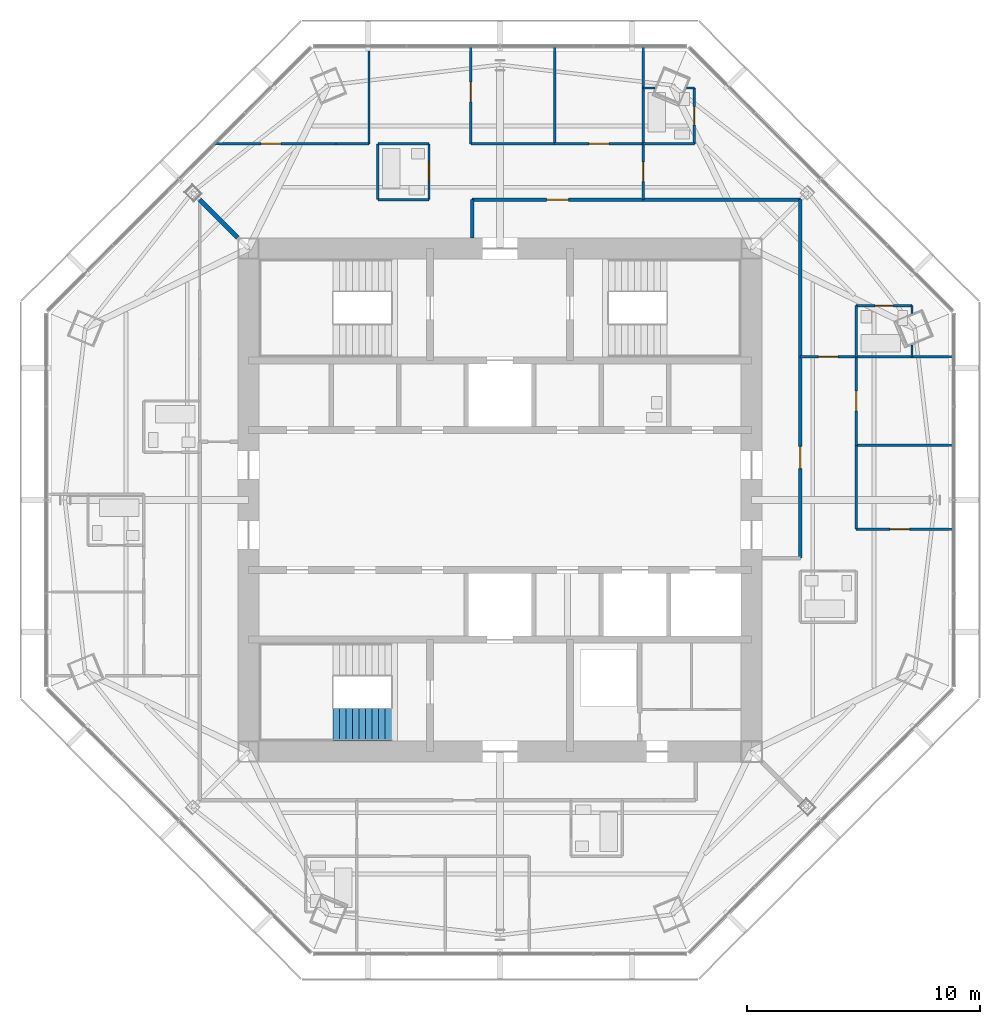
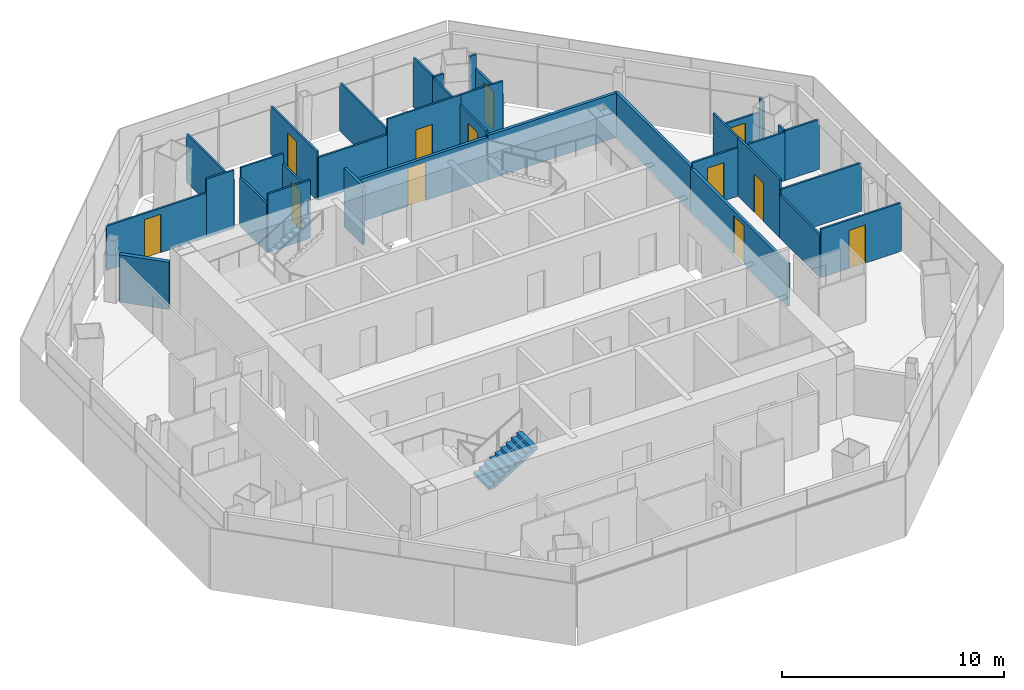
# One storey, part 11 of 15: 35 walls, 12 doors, 1 stair flight, 12 openings, 1 element without a shape of its own.
"""IFC4 building model written with IfcOpenShell, lengths in metres."""

import ifcopenshell
import ifcopenshell.guid

model = None  # the IFC model being written
_history = None  # IfcOwnerHistory: only IFC2X3 demands one
_inside = {}  # id of a spatial element -> (the spatial element, [elements in it])
_under = {}  # id of a project, library or spatial element -> (it, [spatial elements below it])
_declared = {}  # id of a project -> (the project, [libraries it declares])
_typed = {}  # id of a type object -> (the type object, [elements of that type])
_made_of = {}  # id of a material, layer set ... -> (it, [elements and type objects made of it])


def new_model(schema):
    """Start an empty IFC model of exactly this schema.

    Asked for "IFC4X3", IfcOpenShell would pick the latest addendum, in which some entities
    have other attributes; the version numbers below select the first issue.
    IFC2X3 requires an IfcOwnerHistory on every rooted entity: one is made here for all.
    """
    global model, _history
    if schema == "IFC4X3":
        model = ifcopenshell.file(schema_version=(4, 3, 0, 0))
    else:
        model = ifcopenshell.file(schema=schema)
    _inside.clear()
    _under.clear()
    _declared.clear()
    _typed.clear()
    _made_of.clear()
    _history = None
    if model.schema == "IFC2X3":
        org = make("IfcOrganization", Name="unknown")
        user = make(
            "IfcPersonAndOrganization",
            ThePerson=make("IfcPerson", FamilyName="unknown"),
            TheOrganization=org,
        )
        app = make(
            "IfcApplication",
            ApplicationDeveloper=org,
            Version="unknown",
            ApplicationFullName="unknown",
            ApplicationIdentifier="unknown",
        )
        _history = make(
            "IfcOwnerHistory",
            OwningUser=user,
            OwningApplication=app,
            ChangeAction="ADDED",
            CreationDate=0,
        )
    return model


def make(cls, **values):
    """One entity of the class cls with the attributes given. An attribute that is None is left unset."""
    return model.create_entity(
        cls, **{name: value for name, value in values.items() if value is not None}
    )


def rooted(cls, **values):
    """An entity with a GlobalId (a new one), such as an element, a storey or a relation."""
    return make(cls, GlobalId=ifcopenshell.guid.new(), OwnerHistory=_history, **values)


def si_unit(unit_type, name, prefix=None):
    """IfcSIUnit, for example si_unit("LENGTHUNIT", "METRE", prefix="MILLI")."""
    return make("IfcSIUnit", UnitType=unit_type, Prefix=prefix, Name=name)


def assignment(units):
    """IfcUnitAssignment: the units of a project."""
    return None if units is None else make("IfcUnitAssignment", Units=units)


def point(xyz):
    """IfcCartesianPoint."""
    return None if xyz is None else make("IfcCartesianPoint", Coordinates=xyz)


def direction(xyz):
    """IfcDirection."""
    return None if xyz is None else make("IfcDirection", DirectionRatios=xyz)


def frame(location, z_axis=None, x_axis=None):
    """IfcAxis2Placement3D, a coordinate frame: its origin and axes. An axis left out is left unset."""
    return make(
        "IfcAxis2Placement3D",
        Location=point(location),
        Axis=direction(z_axis),
        RefDirection=direction(x_axis),
    )


def frame_2d(location, x_axis=None):
    """IfcAxis2Placement2D, a coordinate frame in the plane: its origin and x axis."""
    return make(
        "IfcAxis2Placement2D", Location=point(location), RefDirection=direction(x_axis)
    )


def origin():
    """The frame at (0, 0, 0) with its axes left unset."""
    return frame((0.0, 0.0, 0.0))


def place(relative_to, where):
    """IfcLocalPlacement: puts the frame where relative to a parent placement (None: the world)."""
    return make(
        "IfcLocalPlacement", PlacementRelTo=relative_to, RelativePlacement=where
    )


def context(
    kind, dimensions, precision=None, world=None, true_north=None, identifier=None
):
    """IfcGeometricRepresentationContext, for example the 3D "Model" context."""
    return make(
        "IfcGeometricRepresentationContext",
        ContextIdentifier=identifier,
        ContextType=kind,
        CoordinateSpaceDimension=dimensions,
        Precision=precision,
        WorldCoordinateSystem=world,
        TrueNorth=true_north,
    )


def subcontext(parent, identifier, kind, view, scale=None):
    """IfcGeometricRepresentationSubContext, for example "Body" below "Model"."""
    return make(
        "IfcGeometricRepresentationSubContext",
        ContextIdentifier=identifier,
        ContextType=kind,
        ParentContext=parent,
        TargetScale=scale,
        TargetView=view,
    )


def project(units=None, contexts=None):
    """IfcProject with its units and contexts."""
    return rooted(
        "IfcProject",
        Name="project",
        RepresentationContexts=contexts,
        UnitsInContext=assignment(units),
    )


def spatial(cls, under=None, at=None, **own):
    """A site, building, storey or space (cls), placed at a placement, below another one or the project."""
    s = rooted(cls, ObjectPlacement=at, **own)
    if under is not None:
        _under.setdefault(under.id(), (under, []))[1].append(s)
    return s


def polyline(points):
    """IfcPolyline through the points."""
    return make("IfcPolyline", Points=[point(p) for p in points])


def profile(cls, at=None, kind="AREA", **sizes):
    """A parametric profile (cls). Its sizes go by their IFC names, for example OverallWidth=200.0."""
    return make(cls, ProfileType=kind, Position=at, **sizes)


def rectangle(**sizes):
    """IfcRectangleProfileDef."""
    return profile("IfcRectangleProfileDef", **sizes)


def outline(outer, holes=None, kind="AREA"):
    """IfcArbitraryClosedProfileDef: a profile drawn as a closed curve; with holes, ...WithVoids."""
    if holes is None:
        return make("IfcArbitraryClosedProfileDef", ProfileType=kind, OuterCurve=outer)
    return make(
        "IfcArbitraryProfileDefWithVoids",
        ProfileType=kind,
        OuterCurve=outer,
        InnerCurves=holes,
    )


def extrude(swept, where, along, depth):
    """IfcExtrudedAreaSolid: the profile swept, set in the frame where, extruded along a direction by depth."""
    return make(
        "IfcExtrudedAreaSolid",
        SweptArea=swept,
        Position=where,
        ExtrudedDirection=direction(along),
        Depth=depth,
    )


def shape(context_of_items, identifier, shape_type, items):
    """IfcShapeRepresentation: the items that make up one representation, for example the "Body"."""
    return make(
        "IfcShapeRepresentation",
        ContextOfItems=context_of_items,
        RepresentationIdentifier=identifier,
        RepresentationType=shape_type,
        Items=items,
    )


def material(Name=None, Category=None):
    """IfcMaterial."""
    return make("IfcMaterial", Name=Name, Category=Category)


def layer(
    of_material, thickness, ventilated=None, Name=None, Category=None, Priority=None
):
    """IfcMaterialLayer: one layer of a wall or slab, of a material (None: an air gap)."""
    return make(
        "IfcMaterialLayer",
        Material=of_material,
        LayerThickness=thickness,
        IsVentilated=ventilated,
        Name=Name,
        Category=Category,
        Priority=Priority,
    )


def layer_set(layers, Name=None):
    """IfcMaterialLayerSet."""
    return make("IfcMaterialLayerSet", MaterialLayers=layers, LayerSetName=Name)


def made_of(thing, what):
    """Note that an element or type object is made of a material, layer set ...; save() writes the relation."""
    if what is not None:
        _made_of.setdefault(what.id(), (what, []))[1].append(thing)
    return thing


def type_object(cls, material=None, **own):
    """A type object (cls), such as IfcWallType, which elements share."""
    return made_of(rooted(cls, **own), material)


def element(
    cls,
    number,
    at=None,
    inside=None,
    cuts=None,
    type_object=None,
    material=None,
    context=None,
    identifier="Body",
    shape_type=None,
    held_by="IfcProductDefinitionShape",
    body=None,
    shapes=None,
    **own,
):
    """One element of the class cls, such as IfcWall. Its Tag is "e" and its number.

    at: its placement. inside: the storey or other place that contains it. cuts: it is an
    opening in that element (IfcRelVoidsElement). A single representation is given by context,
    identifier, shape_type and body (its items); several are given by shapes. held_by: the class
    of the entity that holds the representations. save() writes the other relations.
    """
    e = rooted(cls, Tag="e%d" % number, ObjectPlacement=at, **own)
    if body is not None:
        shapes = [shape(context, identifier, shape_type, body)]
    if shapes is not None:
        e.Representation = make(held_by, Representations=shapes)
    if inside is not None:
        _inside.setdefault(inside.id(), (inside, []))[1].append(e)
    if cuts is not None:
        rooted(
            "IfcRelVoidsElement", RelatingBuildingElement=cuts, RelatedOpeningElement=e
        )
    if type_object is not None:
        _typed.setdefault(type_object.id(), (type_object, []))[1].append(e)
    return made_of(e, material)


def fill(opening, filler):
    """IfcRelFillsElement: the door or window that sits in an opening."""
    return rooted(
        "IfcRelFillsElement",
        RelatingOpeningElement=opening,
        RelatedBuildingElement=filler,
    )


def aggregate(whole, parts):
    """IfcRelAggregates: a whole, such as a stair, and the parts it consists of."""
    return rooted("IfcRelAggregates", RelatingObject=whole, RelatedObjects=parts)


def save(model, path):
    """Write the relations noted so far, then the file.

    IfcRelAggregates (storeys below a building ...), IfcRelContainedInSpatialStructure (elements
    in a storey), IfcRelDefinesByType, IfcRelAssociatesMaterial and IfcRelDeclares: one each for
    every whole, place, type object, material and project.
    """
    for whole, parts in _under.values():
        aggregate(whole, parts)
    for where, things in _inside.values():
        rooted(
            "IfcRelContainedInSpatialStructure",
            RelatedElements=things,
            RelatingStructure=where,
        )
    for kind, things in _typed.values():
        rooted("IfcRelDefinesByType", RelatedObjects=things, RelatingType=kind)
    for what, things in _made_of.values():
        rooted("IfcRelAssociatesMaterial", RelatedObjects=things, RelatingMaterial=what)
    for by, libraries in _declared.values():
        rooted("IfcRelDeclares", RelatingContext=by, RelatedDefinitions=libraries)
    model.write(path)


model = new_model("IFC4")

# Units and contexts
model_context = context("Model", 3, precision=1e-05, world=origin(), true_north=direction((0.0, 1.0)))
body_context = subcontext(model_context, "Body", "Model", "MODEL_VIEW")
ifc_project = project(units=[si_unit("LENGTHUNIT", "METRE"), si_unit("AREAUNIT", "SQUARE_METRE"), si_unit("VOLUMEUNIT", "CUBIC_METRE"), si_unit("PLANEANGLEUNIT", "RADIAN"), si_unit("MASSUNIT", "GRAM", prefix="KILO")], contexts=[model_context])

# Site, building, storey
site_placement = place(None, origin())
site = spatial("IfcSite", under=ifc_project, at=site_placement, CompositionType="ELEMENT")
building_placement = place(site_placement, origin())
building = spatial("IfcBuilding", under=site, at=building_placement, Name="Mashrafa Tower", CompositionType="ELEMENT")
storey_placement = place(building_placement, frame((0.0, 0.0, 301.39990234375)))
storey = spatial("IfcBuildingStorey", under=building, at=storey_placement, Name="L74", CompositionType="ELEMENT", Elevation=301.39990234375)

# Walls
ifc_material_1 = material(Name="Gypsum board on steel studs", Category="steel")
ifc_layer_1 = layer(ifc_material_1, 0.199951171875)
ifc_layer_set_1 = layer_set([ifc_layer_1], Name="Acoustic partition 200 1 hr")
wall_type_1 = type_object("IfcWallType", Name="Acoustic partition 200 1 hr", PredefinedType="PARTITIONING", material=ifc_layer_set_1)
wall_1_placement = place(storey_placement, frame((-12.90087890625, 12.90087890625, 0.0), z_axis=(0.0, 0.0, 1.0), x_axis=(0.707106781187, -0.707106781187, 0.0)))
element("IfcWall", 1, at=wall_1_placement, inside=storey, type_object=wall_type_1, Name="Acoustic wall L74-051", PredefinedType="PARTITIONING", context=body_context, shape_type="SweptSolid", body=[
    extrude(rectangle(XDim=2.307861328125, YDim=0.199951171875, at=frame_2d((1.15380859375, 0.0))), origin(), (0.0, 0.0, 1.0), 2.590576171875),
])
ifc_material_2 = material(Name="Gypsum board on steel studs", Category="steel")
ifc_layer_2 = layer(ifc_material_2, 0.14990234375)
ifc_layer_set_2 = layer_set([ifc_layer_2], Name="Corridor partition 150 1 hr")
wall_type_2 = type_object("IfcWallType", Name="Corridor partition 150 1 hr", PredefinedType="PARTITIONING", material=ifc_layer_set_2)
wall_2_placement = place(storey_placement, frame((12.89990234375, 6.14892578125, 0.0), z_axis=(0.0, 0.0, 1.0), x_axis=(0.0, 1.0, 0.0)))
element("IfcWall", 2, at=wall_2_placement, inside=storey, type_object=wall_type_2, Name="Corridor wall L74-001", PredefinedType="PARTITIONING", context=body_context, shape_type="SweptSolid", body=[
    extrude(rectangle(XDim=6.7509765625, YDim=0.14990234375, at=frame_2d((3.37548828125, 0.0))), origin(), (0.0, 0.0, 1.0), 2.435791015625),
])

# Wall, opening, door
wall_3_placement = place(storey_placement, frame((12.89990234375, -2.5, 0.0), z_axis=(0.0, 0.0, 1.0), x_axis=(0.0, 1.0, 0.0)))
wall_3 = element("IfcWall", 3, at=wall_3_placement, inside=storey, type_object=wall_type_2, Name="Corridor wall L74-003", PredefinedType="PARTITIONING", context=body_context, shape_type="SweptSolid", body=[
    extrude(rectangle(XDim=8.65087890625, YDim=0.14990234375, at=frame_2d((4.325439453125, 0.0))), origin(), (0.0, 0.0, 1.0), 2.349365234375),
])
opening_1_placement = place(wall_3_placement, frame((3.8505859375, 0.0, 0.0)))
opening_1 = element("IfcOpeningElement", 4, at=opening_1_placement, cuts=wall_3, Name="Opening 74.007", PredefinedType="OPENING", context=body_context, shape_type="SweptSolid", body=[
    extrude(rectangle(XDim=0.949951171875, YDim=2.10009765625, at=frame_2d((0.47509765625, 1.050048828125))), frame((0.0, 0.0849609375, 0.0), z_axis=(0.0, -1.0, 0.0), x_axis=(1.0, 0.0, 0.0)), (0.0, 0.0, 1.0), 0.169921875),
])
ifc_material_3 = material(Name="Steel door", Category="steel")
door_type_1 = type_object("IfcDoorType", Name="Residence entrance door 950 x 2100 20 min", OperationType="USERDEFINED", PredefinedType="DOOR", material=ifc_material_3)
door_1_placement = place(opening_1_placement, frame((0.949951171875, 0.0, 0.0), z_axis=(0.0, 0.0, 1.0), x_axis=(-1.0, 0.0, 0.0)))
door_1 = element("IfcDoor", 5, at=door_1_placement, inside=storey, type_object=door_type_1, Name="Apartment 7401 Living Room door", OperationType="SINGLE_SWING_LEFT", OverallHeight=2.10009765625, OverallWidth=0.949951171875, PredefinedType="DOOR", context=body_context, shape_type="SweptSolid", body=[
    extrude(rectangle(XDim=0.949951171875, YDim=2.10009765625, at=frame_2d((0.47509765625, 1.050048828125))), frame((0.0, 0.02490234375, 0.0), z_axis=(0.0, -1.0, 0.0), x_axis=(1.0, 0.0, 0.0)), (0.0, 0.0, 1.0), 0.050048828125),
])
fill(opening_1, door_1)

# Wall
wall_4_placement = place(storey_placement, frame((12.89990234375, 12.89990234375, 0.0), z_axis=(0.0, 0.0, 1.0), x_axis=(-1.0, 0.0, 0.0)))
element("IfcWall", 6, at=wall_4_placement, inside=storey, type_object=wall_type_2, Name="Corridor wall L74-004", PredefinedType="PARTITIONING", context=body_context, shape_type="SweptSolid", body=[
    extrude(rectangle(XDim=6.7509765625, YDim=0.14990234375, at=frame_2d((3.37548828125, 0.0))), origin(), (0.0, 0.0, 1.0), 2.435791015625),
])

# Wall, opening, door
wall_5_placement = place(storey_placement, frame((6.15087890625, 12.89990234375, 0.0), z_axis=(0.0, 0.0, 1.0), x_axis=(-1.0, 0.0, 0.0)))
wall_5 = element("IfcWall", 7, at=wall_5_placement, inside=storey, type_object=wall_type_2, Name="Corridor wall L74-005", PredefinedType="PARTITIONING", context=body_context, shape_type="SweptSolid", body=[
    extrude(rectangle(XDim=7.350830078125, YDim=0.14990234375, at=frame_2d((3.67529296875, 0.0))), origin(), (0.0, 0.0, 1.0), 2.349365234375),
])
opening_2_placement = place(wall_5_placement, frame((3.200439453125, 0.0, 0.0)))
opening_2 = element("IfcOpeningElement", 8, at=opening_2_placement, cuts=wall_5, Name="Opening 74.013", PredefinedType="OPENING", context=body_context, shape_type="SweptSolid", body=[
    extrude(rectangle(XDim=0.949951171875, YDim=2.10009765625, at=frame_2d((0.47509765625, 1.050048828125))), frame((0.0, 0.0849609375, 0.0), z_axis=(0.0, -1.0, 0.0), x_axis=(1.0, 0.0, 0.0)), (0.0, 0.0, 1.0), 0.169921875),
])
door_2_placement = place(opening_2_placement, frame((0.949951171875, 0.0, 0.0), z_axis=(0.0, 0.0, 1.0), x_axis=(-1.0, 0.0, 0.0)))
door_2 = element("IfcDoor", 9, at=door_2_placement, inside=storey, type_object=door_type_1, Name="Apartment 7402 Living Room door", OperationType="SINGLE_SWING_RIGHT", OverallHeight=2.10009765625, OverallWidth=0.949951171875, PredefinedType="DOOR", context=body_context, shape_type="SweptSolid", body=[
    extrude(rectangle(XDim=0.949951171875, YDim=2.10009765625, at=frame_2d((0.47509765625, 1.050048828125))), frame((0.0, 0.02490234375, 0.0), z_axis=(0.0, -1.0, 0.0), x_axis=(1.0, 0.0, 0.0)), (0.0, 0.0, 1.0), 0.050048828125),
])
fill(opening_2, door_2)

# Walls
wall_6_placement = place(storey_placement, frame((-1.199951171875, 12.89990234375, 0.0), z_axis=(0.0, 0.0, 1.0), x_axis=(0.0, -1.0, 0.0)))
element("IfcWall", 10, at=wall_6_placement, inside=storey, type_object=wall_type_2, Name="Corridor wall L74-006", PredefinedType="PARTITIONING", context=body_context, shape_type="SweptSolid", body=[
    extrude(rectangle(XDim=1.64990234375, YDim=0.14990234375, at=frame_2d((0.824951171875, 0.0))), origin(), (0.0, 0.0, 1.0), 3.2001953125),
])
ifc_material_4 = material(Name="Gypsum board on steel studs", Category="steel")
ifc_layer_3 = layer(ifc_material_4, 0.10009765625)
ifc_layer_set_3 = layer_set([ifc_layer_3], Name="Partition 100")
wall_type_3 = type_object("IfcWallType", Name="Partition 100", PredefinedType="PARTITIONING", material=ifc_layer_set_3)
wall_7_placement = place(storey_placement, frame((-7.051025390625, 15.300048828125, 0.0), z_axis=(0.0, 0.0, 1.0), x_axis=(1.0, 0.0, 0.0)))
element("IfcWall", 11, at=wall_7_placement, inside=storey, type_object=wall_type_3, Name="Partition wall L74-017", PredefinedType="PARTITIONING", context=body_context, shape_type="SweptSolid", body=[
    extrude(rectangle(XDim=1.426513671875, YDim=0.10009765625, at=frame_2d((0.71337890625, 0.0))), origin(), (0.0, 0.0, 1.0), 3.2001953125),
])

# Wall, opening, door
wall_8_placement = place(storey_placement, frame((-12.2392578125, 15.300048828125, 0.0), z_axis=(0.0, 0.0, 1.0), x_axis=(1.0, 0.0, 0.0)))
wall_8 = element("IfcWall", 12, at=wall_8_placement, inside=storey, type_object=wall_type_3, Name="Partition wall L74-018", PredefinedType="PARTITIONING", context=body_context, shape_type="SweptSolid", body=[
    extrude(rectangle(XDim=5.190185546875, YDim=0.10009765625, at=frame_2d((2.59521484375, 0.0))), origin(), (0.0, 0.0, 1.0), 2.435791015625),
])
opening_3_placement = place(wall_8_placement, frame((1.973388671875, 0.0, 0.0)))
opening_3 = element("IfcOpeningElement", 13, at=opening_3_placement, cuts=wall_8, Name="Opening 74.001", PredefinedType="OPENING", context=body_context, shape_type="SweptSolid", body=[
    extrude(rectangle(XDim=0.85009765625, YDim=2.10009765625, at=frame_2d((0.425048828125, 1.050048828125))), frame((0.0, 0.06005859375, 0.0), z_axis=(0.0, -1.0, 0.0), x_axis=(1.0, 0.0, 0.0)), (0.0, 0.0, 1.0), 0.1201171875),
])
ifc_material_5 = material(Name="Timber door", Category="wood")
door_type_2 = type_object("IfcDoorType", Name="Bedroom door 850 x 2100", OperationType="USERDEFINED", PredefinedType="DOOR", material=ifc_material_5)
door_3_placement = place(opening_3_placement, origin())
door_3 = element("IfcDoor", 14, at=door_3_placement, inside=storey, type_object=door_type_2, Name="Apartment 7402 Dining Room door", OperationType="SINGLE_SWING_LEFT", OverallHeight=2.10009765625, OverallWidth=0.85009765625, PredefinedType="DOOR", context=body_context, shape_type="SweptSolid", body=[
    extrude(rectangle(XDim=0.85009765625, YDim=2.10009765625, at=frame_2d((0.425048828125, 1.050048828125))), frame((0.0, 0.02490234375, 0.0), z_axis=(0.0, -1.0, 0.0), x_axis=(1.0, 0.0, 0.0)), (0.0, 0.0, 1.0), 0.050048828125),
])
fill(opening_3, door_3)

# Walls
for number, where, z_axis, x_axis, name in (
    (15, (-5.62451171875, 15.300048828125, 0.0), (0.0, 0.0, 1.0), (0.0, 1.0, 0.0), "Partition wall L74-019"),
    (16, (19.470458984375, 2.35009765625, 0.0), (0.0, 0.0, 1.0), (-1.0, 0.0, 0.0), "Partition wall L74-024"),
):
    element("IfcWall", number, at=place(storey_placement, frame(where, z_axis=z_axis, x_axis=x_axis)), inside=storey, type_object=wall_type_3, Name=name, PredefinedType="PARTITIONING", context=body_context, shape_type="SweptSolid", body=[
        extrude(rectangle(XDim=4.17041015625, YDim=0.10009765625, at=frame_2d((2.085205078125, 0.0))), origin(), (0.0, 0.0, 1.0), 2.661865234375),
    ])
wall_9_placement = place(storey_placement, frame((15.300048828125, 2.35009765625, 0.0), z_axis=(0.0, 0.0, 1.0), x_axis=(0.0, -1.0, 0.0)))
element("IfcWall", 17, at=wall_9_placement, inside=storey, type_object=wall_type_3, Name="Partition wall L74-025", PredefinedType="PARTITIONING", context=body_context, shape_type="SweptSolid", body=[
    extrude(rectangle(XDim=3.60009765625, YDim=0.10009765625, at=frame_2d((1.800048828125, 0.0))), origin(), (0.0, 0.0, 1.0), 2.349365234375),
])

# Wall, opening, door
wall_10_placement = place(storey_placement, frame((15.300048828125, -1.25, 0.0), z_axis=(0.0, 0.0, 1.0), x_axis=(1.0, 0.0, 0.0)))
wall_10 = element("IfcWall", 18, at=wall_10_placement, inside=storey, type_object=wall_type_3, Name="Partition wall L74-026", PredefinedType="PARTITIONING", context=body_context, shape_type="SweptSolid", body=[
    extrude(rectangle(XDim=4.17236328125, YDim=0.10009765625, at=frame_2d((2.086181640625, 0.0))), origin(), (0.0, 0.0, 1.0), 2.661865234375),
])
opening_4_placement = place(wall_10_placement, frame((1.4443359375, 0.0, 0.0)))
opening_4 = element("IfcOpeningElement", 19, at=opening_4_placement, cuts=wall_10, Name="Opening 74.003", PredefinedType="OPENING", context=body_context, shape_type="SweptSolid", body=[
    extrude(rectangle(XDim=0.85009765625, YDim=2.10009765625, at=frame_2d((0.425048828125, 1.050048828125))), frame((0.0, 0.06005859375, 0.0), z_axis=(0.0, -1.0, 0.0), x_axis=(1.0, 0.0, 0.0)), (0.0, 0.0, 1.0), 0.1201171875),
])
door_4_placement = place(opening_4_placement, origin())
door_4 = element("IfcDoor", 20, at=door_4_placement, inside=storey, type_object=door_type_2, Name="Apartment 7401 Majlis door", OperationType="SINGLE_SWING_RIGHT", OverallHeight=2.10009765625, OverallWidth=0.85009765625, PredefinedType="DOOR", context=body_context, shape_type="SweptSolid", body=[
    extrude(rectangle(XDim=0.85009765625, YDim=2.10009765625, at=frame_2d((0.425048828125, 1.050048828125))), frame((0.0, 0.02490234375, 0.0), z_axis=(0.0, -1.0, 0.0), x_axis=(1.0, 0.0, 0.0)), (0.0, 0.0, 1.0), 0.050048828125),
])
fill(opening_4, door_4)

# Walls
wall_11_placement = place(storey_placement, frame((17.700927734375, 6.14990234375, 0.0), z_axis=(0.0, 0.0, 1.0), x_axis=(-1.0, 0.0, 0.0)))
element("IfcWall", 21, at=wall_11_placement, inside=storey, type_object=wall_type_3, Name="Partition wall L74-027", PredefinedType="PARTITIONING", context=body_context, shape_type="SweptSolid", body=[
    extrude(rectangle(XDim=2.40087890625, YDim=0.10009765625, at=frame_2d((1.200439453125, 0.0))), origin(), (0.0, 0.0, 1.0), 2.661865234375),
])
wall_12_placement = place(storey_placement, frame((19.470458984375, 6.14990234375, 0.0), z_axis=(0.0, 0.0, 1.0), x_axis=(-1.0, 0.0, 0.0)))
element("IfcWall", 22, at=wall_12_placement, inside=storey, type_object=wall_type_3, Name="Partition wall L74-028", PredefinedType="PARTITIONING", context=body_context, shape_type="SweptSolid", body=[
    extrude(rectangle(XDim=1.771484375, YDim=0.10009765625, at=frame_2d((0.8857421875, 0.0))), origin(), (0.0, 0.0, 1.0), 2.740478515625),
])

# Wall, opening, door
wall_13_placement = place(storey_placement, frame((15.300048828125, 6.14990234375, 0.0), z_axis=(0.0, 0.0, 1.0), x_axis=(0.0, -1.0, 0.0)))
wall_13 = element("IfcWall", 23, at=wall_13_placement, inside=storey, type_object=wall_type_3, Name="Partition wall L74-029", PredefinedType="PARTITIONING", context=body_context, shape_type="SweptSolid", body=[
    extrude(rectangle(XDim=3.7998046875, YDim=0.10009765625, at=frame_2d((1.89990234375, 0.0))), origin(), (0.0, 0.0, 1.0), 3.2001953125),
])
opening_5_placement = place(wall_13_placement, frame((1.47509765625, 0.0, 0.0)))
opening_5 = element("IfcOpeningElement", 24, at=opening_5_placement, cuts=wall_13, Name="Opening 74.004", PredefinedType="OPENING", context=body_context, shape_type="SweptSolid", body=[
    extrude(rectangle(XDim=0.85009765625, YDim=2.10009765625, at=frame_2d((0.425048828125, 1.050048828125))), frame((0.0, 0.06005859375, 0.0), z_axis=(0.0, -1.0, 0.0), x_axis=(1.0, 0.0, 0.0)), (0.0, 0.0, 1.0), 0.1201171875),
])
door_5_placement = place(opening_5_placement, origin())
door_5 = element("IfcDoor", 25, at=door_5_placement, inside=storey, type_object=door_type_2, Name="Apartment 7401 Bedroom 1 door", OperationType="SINGLE_SWING_LEFT", OverallHeight=2.10009765625, OverallWidth=0.85009765625, PredefinedType="DOOR", context=body_context, shape_type="SweptSolid", body=[
    extrude(rectangle(XDim=0.85009765625, YDim=2.10009765625, at=frame_2d((0.425048828125, 1.050048828125))), frame((0.0, 0.02490234375, 0.0), z_axis=(0.0, -1.0, 0.0), x_axis=(1.0, 0.0, 0.0)), (0.0, 0.0, 1.0), 0.050048828125),
])
fill(opening_5, door_5)

# Walls
wall_14_placement = place(storey_placement, frame((17.699951171875, 6.14990234375, 0.0), z_axis=(0.0, 0.0, 1.0), x_axis=(0.0, 1.0, 0.0)))
element("IfcWall", 26, at=wall_14_placement, inside=storey, type_object=wall_type_3, Name="Partition wall L74-030", PredefinedType="PARTITIONING", context=body_context, shape_type="SweptSolid", body=[
    extrude(rectangle(XDim=0.51171875, YDim=0.10009765625, at=frame_2d((0.255859375, 0.0))), origin(), (0.0, 0.0, 1.0), 2.740478515625),
])
wall_15_placement = place(storey_placement, frame((17.699951171875, 8.001708984375, 0.0), z_axis=(0.0, 0.0, 1.0), x_axis=(0.0, 1.0, 0.0)))
element("IfcWall", 27, at=wall_15_placement, inside=storey, type_object=wall_type_3, Name="Partition wall L74-031", PredefinedType="PARTITIONING", context=body_context, shape_type="SweptSolid", body=[
    extrude(rectangle(XDim=0.348388671875, YDim=0.10009765625, at=frame_2d((0.17431640625, 0.0))), origin(), (0.0, 0.0, 1.0), 3.2001953125),
])

# Wall, opening, door
wall_16_placement = place(storey_placement, frame((17.699951171875, 8.35009765625, 0.0), z_axis=(0.0, 0.0, 1.0), x_axis=(-1.0, 0.0, 0.0)))
wall_16 = element("IfcWall", 28, at=wall_16_placement, inside=storey, type_object=wall_type_3, Name="Partition wall L74-032", PredefinedType="PARTITIONING", context=body_context, shape_type="SweptSolid", body=[
    extrude(rectangle(XDim=2.39990234375, YDim=0.10009765625, at=frame_2d((1.199951171875, 0.0))), origin(), (0.0, 0.0, 1.0), 2.435791015625),
])
opening_6_placement = place(wall_16_placement, frame((0.800048828125, 0.0, 0.0)))
opening_6 = element("IfcOpeningElement", 29, at=opening_6_placement, cuts=wall_16, Name="Opening 74.005", PredefinedType="OPENING", context=body_context, shape_type="SweptSolid", body=[
    extrude(rectangle(XDim=0.800048828125, YDim=2.10009765625, at=frame_2d((0.39990234375, 1.050048828125))), frame((0.0, 0.06005859375, 0.0), z_axis=(0.0, -1.0, 0.0), x_axis=(1.0, 0.0, 0.0)), (0.0, 0.0, 1.0), 0.1201171875),
])
ifc_material_6 = material(Name="Timber door", Category="wood")
door_type_3 = type_object("IfcDoorType", Name="Bathroom door 800 x 2100", OperationType="USERDEFINED", PredefinedType="DOOR", material=ifc_material_6)
door_6_placement = place(opening_6_placement, origin())
door_6 = element("IfcDoor", 30, at=door_6_placement, inside=storey, type_object=door_type_3, Name="Apartment 7401 En-suite Bathroom door", OperationType="SINGLE_SWING_LEFT", OverallHeight=2.10009765625, OverallWidth=0.800048828125, PredefinedType="DOOR", context=body_context, shape_type="SweptSolid", body=[
    extrude(rectangle(XDim=0.800048828125, YDim=2.10009765625, at=frame_2d((0.39990234375, 1.050048828125))), frame((0.0, 0.02490234375, 0.0), z_axis=(0.0, -1.0, 0.0), x_axis=(1.0, 0.0, 0.0)), (0.0, 0.0, 1.0), 0.050048828125),
])
fill(opening_6, door_6)

# Wall
wall_17_placement = place(storey_placement, frame((15.300048828125, 8.35009765625, 0.0), z_axis=(0.0, 0.0, 1.0), x_axis=(0.0, -1.0, 0.0)))
element("IfcWall", 31, at=wall_17_placement, inside=storey, type_object=wall_type_3, Name="Partition wall L74-033", PredefinedType="PARTITIONING", context=body_context, shape_type="SweptSolid", body=[
    extrude(rectangle(XDim=2.2001953125, YDim=0.10009765625, at=frame_2d((1.10009765625, 0.0))), origin(), (0.0, 0.0, 1.0), 3.2001953125),
])

# Wall, opening, door
wall_18_placement = place(storey_placement, frame((12.89990234375, 6.14990234375, 0.0), z_axis=(0.0, 0.0, 1.0), x_axis=(1.0, 0.0, 0.0)))
wall_18 = element("IfcWall", 32, at=wall_18_placement, inside=storey, type_object=wall_type_3, Name="Partition wall L74-034", PredefinedType="PARTITIONING", context=body_context, shape_type="SweptSolid", body=[
    extrude(rectangle(XDim=2.400146484375, YDim=0.10009765625, at=frame_2d((1.2001953125, 0.0))), origin(), (0.0, 0.0, 1.0), 2.661865234375),
])
opening_7_placement = place(wall_18_placement, frame((0.77490234375, 0.0, 0.0)))
opening_7 = element("IfcOpeningElement", 33, at=opening_7_placement, cuts=wall_18, Name="Opening 74.006", PredefinedType="OPENING", context=body_context, shape_type="SweptSolid", body=[
    extrude(rectangle(XDim=0.85009765625, YDim=2.10009765625, at=frame_2d((0.425048828125, 1.050048828125))), frame((0.0, 0.06005859375, 0.0), z_axis=(0.0, -1.0, 0.0), x_axis=(1.0, 0.0, 0.0)), (0.0, 0.0, 1.0), 0.1201171875),
])
door_7_placement = place(opening_7_placement, origin())
door_7 = element("IfcDoor", 34, at=door_7_placement, inside=storey, type_object=door_type_2, Name="Apartment 7401 Bedroom 2 door", OperationType="SINGLE_SWING_LEFT", OverallHeight=2.10009765625, OverallWidth=0.85009765625, PredefinedType="DOOR", context=body_context, shape_type="SweptSolid", body=[
    extrude(rectangle(XDim=0.85009765625, YDim=2.10009765625, at=frame_2d((0.425048828125, 1.050048828125))), frame((0.0, 0.02490234375, 0.0), z_axis=(0.0, -1.0, 0.0), x_axis=(1.0, 0.0, 0.0)), (0.0, 0.0, 1.0), 0.050048828125),
])
fill(opening_7, door_7)

# Walls
wall_19_placement = place(storey_placement, frame((-5.25, 12.89990234375, 0.0), z_axis=(0.0, 0.0, 1.0), x_axis=(0.0, 1.0, 0.0)))
element("IfcWall", 35, at=wall_19_placement, inside=storey, type_object=wall_type_3, Name="Partition wall L74-036", PredefinedType="PARTITIONING", context=body_context, shape_type="SweptSolid", body=[
    extrude(rectangle(XDim=2.400146484375, YDim=0.10009765625, at=frame_2d((1.2001953125, 0.0))), origin(), (0.0, 0.0, 1.0), 2.661865234375),
])
wall_20_placement = place(storey_placement, frame((-5.25, 12.89990234375, 0.0), z_axis=(0.0, 0.0, 1.0), x_axis=(1.0, 0.0, 0.0)))
element("IfcWall", 36, at=wall_20_placement, inside=storey, type_object=wall_type_3, Name="Partition wall L74-037", PredefinedType="PARTITIONING", context=body_context, shape_type="SweptSolid", body=[
    extrude(rectangle(XDim=2.199951171875, YDim=0.10009765625, at=frame_2d((1.10009765625, 0.0))), origin(), (0.0, 0.0, 1.0), 3.2001953125),
])

# Wall, opening, door
wall_21_placement = place(storey_placement, frame((-3.050048828125, 12.89990234375, 0.0), z_axis=(0.0, 0.0, 1.0), x_axis=(0.0, 1.0, 0.0)))
wall_21 = element("IfcWall", 37, at=wall_21_placement, inside=storey, type_object=wall_type_3, Name="Partition wall L74-038", PredefinedType="PARTITIONING", context=body_context, shape_type="SweptSolid", body=[
    extrude(rectangle(XDim=2.400146484375, YDim=0.10009765625, at=frame_2d((1.2001953125, 0.0))), origin(), (0.0, 0.0, 1.0), 2.661865234375),
])
opening_8_placement = place(wall_21_placement, frame((0.800048828125, 0.0, 0.0)))
opening_8 = element("IfcOpeningElement", 38, at=opening_8_placement, cuts=wall_21, Name="Opening 74.008", PredefinedType="OPENING", context=body_context, shape_type="SweptSolid", body=[
    extrude(rectangle(XDim=0.800048828125, YDim=2.10009765625, at=frame_2d((0.39990234375, 1.050048828125))), frame((0.0, 0.06005859375, 0.0), z_axis=(0.0, -1.0, 0.0), x_axis=(1.0, 0.0, 0.0)), (0.0, 0.0, 1.0), 0.1201171875),
])
door_8_placement = place(opening_8_placement, origin())
door_8 = element("IfcDoor", 39, at=door_8_placement, inside=storey, type_object=door_type_3, Name="Apartment 7402 Bathroom door", OperationType="SINGLE_SWING_LEFT", OverallHeight=2.10009765625, OverallWidth=0.800048828125, PredefinedType="DOOR", context=body_context, shape_type="SweptSolid", body=[
    extrude(rectangle(XDim=0.800048828125, YDim=2.10009765625, at=frame_2d((0.39990234375, 1.050048828125))), frame((0.0, 0.02490234375, 0.0), z_axis=(0.0, -1.0, 0.0), x_axis=(1.0, 0.0, 0.0)), (0.0, 0.0, 1.0), 0.050048828125),
])
fill(opening_8, door_8)

# Walls
wall_22_placement = place(storey_placement, frame((-3.050048828125, 15.300048828125, 0.0), z_axis=(0.0, 0.0, 1.0), x_axis=(-1.0, 0.0, 0.0)))
element("IfcWall", 40, at=wall_22_placement, inside=storey, type_object=wall_type_3, Name="Partition wall L74-039", PredefinedType="PARTITIONING", context=body_context, shape_type="SweptSolid", body=[
    extrude(rectangle(XDim=2.199951171875, YDim=0.10009765625, at=frame_2d((1.10009765625, 0.0))), origin(), (0.0, 0.0, 1.0), 3.2001953125),
])
wall_23_placement = place(storey_placement, frame((2.35009765625, 15.300048828125, 0.0), z_axis=(0.0, 0.0, 1.0), x_axis=(0.0, 1.0, 0.0)))
element("IfcWall", 41, at=wall_23_placement, inside=storey, type_object=wall_type_3, Name="Partition wall L74-040", PredefinedType="PARTITIONING", context=body_context, shape_type="SweptSolid", body=[
    extrude(rectangle(XDim=4.17041015625, YDim=0.10009765625, at=frame_2d((2.085205078125, 0.0))), origin(), (0.0, 0.0, 1.0), 2.661865234375),
])

# Wall, opening, door
wall_24_placement = place(storey_placement, frame((-1.25, 19.472412109375, 0.0), z_axis=(0.0, 0.0, 1.0), x_axis=(0.0, -1.0, 0.0)))
wall_24 = element("IfcWall", 42, at=wall_24_placement, inside=storey, type_object=wall_type_3, Name="Partition wall L74-041", PredefinedType="PARTITIONING", context=body_context, shape_type="SweptSolid", body=[
    extrude(rectangle(XDim=4.17236328125, YDim=0.10009765625, at=frame_2d((2.086181640625, 0.0))), origin(), (0.0, 0.0, 1.0), 2.661865234375),
])
opening_9_placement = place(wall_24_placement, frame((1.523193359375, 0.0, 0.0)))
opening_9 = element("IfcOpeningElement", 43, at=opening_9_placement, cuts=wall_24, Name="Opening 74.009", PredefinedType="OPENING", context=body_context, shape_type="SweptSolid", body=[
    extrude(rectangle(XDim=0.85009765625, YDim=2.10009765625, at=frame_2d((0.425048828125, 1.050048828125))), frame((0.0, 0.06005859375, 0.0), z_axis=(0.0, -1.0, 0.0), x_axis=(1.0, 0.0, 0.0)), (0.0, 0.0, 1.0), 0.1201171875),
])
door_9_placement = place(opening_9_placement, origin())
door_9 = element("IfcDoor", 44, at=door_9_placement, inside=storey, type_object=door_type_2, Name="Apartment 7402 Majlis door", OperationType="SINGLE_SWING_LEFT", OverallHeight=2.10009765625, OverallWidth=0.85009765625, PredefinedType="DOOR", context=body_context, shape_type="SweptSolid", body=[
    extrude(rectangle(XDim=0.85009765625, YDim=2.10009765625, at=frame_2d((0.425048828125, 1.050048828125))), frame((0.0, 0.02490234375, 0.0), z_axis=(0.0, -1.0, 0.0), x_axis=(1.0, 0.0, 0.0)), (0.0, 0.0, 1.0), 0.050048828125),
])
fill(opening_9, door_9)

# Walls
wall_25_placement = place(storey_placement, frame((-1.25, 15.300048828125, 0.0), z_axis=(0.0, 0.0, 1.0), x_axis=(1.0, 0.0, 0.0)))
element("IfcWall", 45, at=wall_25_placement, inside=storey, type_object=wall_type_3, Name="Partition wall L74-042", PredefinedType="PARTITIONING", context=body_context, shape_type="SweptSolid", body=[
    extrude(rectangle(XDim=3.60009765625, YDim=0.10009765625, at=frame_2d((1.800048828125, 0.0))), origin(), (0.0, 0.0, 1.0), 2.349365234375),
])
wall_26_placement = place(storey_placement, frame((6.14990234375, 15.300048828125, 0.0), z_axis=(0.0, 0.0, 1.0), x_axis=(0.0, 1.0, 0.0)))
element("IfcWall", 46, at=wall_26_placement, inside=storey, type_object=wall_type_3, Name="Partition wall L74-043", PredefinedType="PARTITIONING", context=body_context, shape_type="SweptSolid", body=[
    extrude(rectangle(XDim=2.40087890625, YDim=0.10009765625, at=frame_2d((1.200439453125, 0.0))), origin(), (0.0, 0.0, 1.0), 2.661865234375),
])
wall_27_placement = place(storey_placement, frame((6.14990234375, 17.698974609375, 0.0), z_axis=(0.0, 0.0, 1.0), x_axis=(0.0, 1.0, 0.0)))
element("IfcWall", 47, at=wall_27_placement, inside=storey, type_object=wall_type_3, Name="Partition wall L74-044", PredefinedType="PARTITIONING", context=body_context, shape_type="SweptSolid", body=[
    extrude(rectangle(XDim=1.771484375, YDim=0.10009765625, at=frame_2d((0.8857421875, 0.0))), origin(), (0.0, 0.0, 1.0), 2.740478515625),
])

# Wall, opening, door
wall_28_placement = place(storey_placement, frame((2.35009765625, 15.300048828125, 0.0), z_axis=(0.0, 0.0, 1.0), x_axis=(1.0, 0.0, 0.0)))
wall_28 = element("IfcWall", 48, at=wall_28_placement, inside=storey, type_object=wall_type_3, Name="Partition wall L74-045", PredefinedType="PARTITIONING", context=body_context, shape_type="SweptSolid", body=[
    extrude(rectangle(XDim=3.7998046875, YDim=0.10009765625, at=frame_2d((1.89990234375, 0.0))), origin(), (0.0, 0.0, 1.0), 3.2001953125),
])
opening_10_placement = place(wall_28_placement, frame((1.47509765625, 0.0, 0.0)))
opening_10 = element("IfcOpeningElement", 49, at=opening_10_placement, cuts=wall_28, Name="Opening 74.010", PredefinedType="OPENING", context=body_context, shape_type="SweptSolid", body=[
    extrude(rectangle(XDim=0.85009765625, YDim=2.10009765625, at=frame_2d((0.425048828125, 1.050048828125))), frame((0.0, 0.06005859375, 0.0), z_axis=(0.0, -1.0, 0.0), x_axis=(1.0, 0.0, 0.0)), (0.0, 0.0, 1.0), 0.1201171875),
])
door_10_placement = place(opening_10_placement, origin())
door_10 = element("IfcDoor", 50, at=door_10_placement, inside=storey, type_object=door_type_2, Name="Apartment 7402 Bedroom 1 door", OperationType="SINGLE_SWING_LEFT", OverallHeight=2.10009765625, OverallWidth=0.85009765625, PredefinedType="DOOR", context=body_context, shape_type="SweptSolid", body=[
    extrude(rectangle(XDim=0.85009765625, YDim=2.10009765625, at=frame_2d((0.425048828125, 1.050048828125))), frame((0.0, 0.02490234375, 0.0), z_axis=(0.0, -1.0, 0.0), x_axis=(1.0, 0.0, 0.0)), (0.0, 0.0, 1.0), 0.050048828125),
])
fill(opening_10, door_10)

# Wall
wall_29_placement = place(storey_placement, frame((6.14990234375, 15.300048828125, 0.0), z_axis=(0.0, 0.0, 1.0), x_axis=(1.0, 0.0, 0.0)))
element("IfcWall", 51, at=wall_29_placement, inside=storey, type_object=wall_type_3, Name="Partition wall L74-046", PredefinedType="PARTITIONING", context=body_context, shape_type="SweptSolid", body=[
    extrude(rectangle(XDim=2.2001953125, YDim=0.10009765625, at=frame_2d((1.10009765625, 0.0))), origin(), (0.0, 0.0, 1.0), 3.2001953125),
])

# Wall, opening, door
wall_30_placement = place(storey_placement, frame((8.35009765625, 15.300048828125, 0.0), z_axis=(0.0, 0.0, 1.0), x_axis=(0.0, 1.0, 0.0)))
wall_30 = element("IfcWall", 52, at=wall_30_placement, inside=storey, type_object=wall_type_3, Name="Partition wall L74-047", PredefinedType="PARTITIONING", context=body_context, shape_type="SweptSolid", body=[
    extrude(rectangle(XDim=2.39990234375, YDim=0.10009765625, at=frame_2d((1.199951171875, 0.0))), origin(), (0.0, 0.0, 1.0), 2.435791015625),
])
opening_11_placement = place(wall_30_placement, frame((0.800048828125, 0.0, 0.0)))
opening_11 = element("IfcOpeningElement", 53, at=opening_11_placement, cuts=wall_30, Name="Opening 74.011", PredefinedType="OPENING", context=body_context, shape_type="SweptSolid", body=[
    extrude(rectangle(XDim=0.800048828125, YDim=2.10009765625, at=frame_2d((0.39990234375, 1.050048828125))), frame((0.0, 0.06005859375, 0.0), z_axis=(0.0, -1.0, 0.0), x_axis=(1.0, 0.0, 0.0)), (0.0, 0.0, 1.0), 0.1201171875),
])
door_11_placement = place(opening_11_placement, origin())
door_11 = element("IfcDoor", 54, at=door_11_placement, inside=storey, type_object=door_type_3, Name="Apartment 7402 En-suite Bathroom door", OperationType="SINGLE_SWING_RIGHT", OverallHeight=2.10009765625, OverallWidth=0.800048828125, PredefinedType="DOOR", context=body_context, shape_type="SweptSolid", body=[
    extrude(rectangle(XDim=0.800048828125, YDim=2.10009765625, at=frame_2d((0.39990234375, 1.050048828125))), frame((0.0, 0.02490234375, 0.0), z_axis=(0.0, -1.0, 0.0), x_axis=(1.0, 0.0, 0.0)), (0.0, 0.0, 1.0), 0.050048828125),
])
fill(opening_11, door_11)

# Walls
wall_31_placement = place(storey_placement, frame((8.35009765625, 17.699951171875, 0.0), z_axis=(0.0, 0.0, 1.0), x_axis=(-1.0, 0.0, 0.0)))
element("IfcWall", 55, at=wall_31_placement, inside=storey, type_object=wall_type_3, Name="Partition wall L74-048", PredefinedType="PARTITIONING", context=body_context, shape_type="SweptSolid", body=[
    extrude(rectangle(XDim=0.348388671875, YDim=0.10009765625, at=frame_2d((0.17431640625, 0.0))), origin(), (0.0, 0.0, 1.0), 3.2001953125),
])
wall_32_placement = place(storey_placement, frame((6.66162109375, 17.699951171875, 0.0), z_axis=(0.0, 0.0, 1.0), x_axis=(-1.0, 0.0, 0.0)))
element("IfcWall", 56, at=wall_32_placement, inside=storey, type_object=wall_type_3, Name="Partition wall L74-049", PredefinedType="PARTITIONING", context=body_context, shape_type="SweptSolid", body=[
    extrude(rectangle(XDim=0.51171875, YDim=0.10009765625, at=frame_2d((0.255859375, 0.0))), origin(), (0.0, 0.0, 1.0), 2.740478515625),
])

# Wall, opening, door
wall_33_placement = place(storey_placement, frame((6.14990234375, 15.300048828125, 0.0), z_axis=(0.0, 0.0, 1.0), x_axis=(0.0, -1.0, 0.0)))
wall_33 = element("IfcWall", 57, at=wall_33_placement, inside=storey, type_object=wall_type_3, Name="Partition wall L74-050", PredefinedType="PARTITIONING", context=body_context, shape_type="SweptSolid", body=[
    extrude(rectangle(XDim=2.400146484375, YDim=0.10009765625, at=frame_2d((1.2001953125, 0.0))), origin(), (0.0, 0.0, 1.0), 2.661865234375),
])
opening_12_placement = place(wall_33_placement, frame((0.77490234375, 0.0, 0.0)))
opening_12 = element("IfcOpeningElement", 58, at=opening_12_placement, cuts=wall_33, Name="Opening 74.012", PredefinedType="OPENING", context=body_context, shape_type="SweptSolid", body=[
    extrude(rectangle(XDim=0.85009765625, YDim=2.10009765625, at=frame_2d((0.425048828125, 1.050048828125))), frame((0.0, 0.06005859375, 0.0), z_axis=(0.0, -1.0, 0.0), x_axis=(1.0, 0.0, 0.0)), (0.0, 0.0, 1.0), 0.1201171875),
])
door_12_placement = place(opening_12_placement, origin())
door_12 = element("IfcDoor", 59, at=door_12_placement, inside=storey, type_object=door_type_2, Name="Apartment 7402 Bedroom 2 door", OperationType="SINGLE_SWING_RIGHT", OverallHeight=2.10009765625, OverallWidth=0.85009765625, PredefinedType="DOOR", context=body_context, shape_type="SweptSolid", body=[
    extrude(rectangle(XDim=0.85009765625, YDim=2.10009765625, at=frame_2d((0.425048828125, 1.050048828125))), frame((0.0, 0.02490234375, 0.0), z_axis=(0.0, -1.0, 0.0), x_axis=(1.0, 0.0, 0.0)), (0.0, 0.0, 1.0), 0.050048828125),
])
fill(opening_12, door_12)

# Stair, stair flight
ifc_material_7 = material(Name="Exit stair 1400")
stair_type = type_object("IfcStairType", Name="Exit stair 1400", PredefinedType="HALF_TURN_STAIR", material=ifc_material_7)
stair_placement = place(storey_placement, origin())
stair = element("IfcStair", 60, at=stair_placement, inside=storey, type_object=stair_type, Name="Stair S3 L74", PredefinedType="HALF_TURN_STAIR")
ifc_material_8 = material(Name="Concrete C32/40", Category="concrete")
stair_flight_type = type_object("IfcStairFlightType", Name="Stair flight 1400", PredefinedType="STRAIGHT", material=ifc_material_8)
stair_flight_placement = place(storey_placement, frame((-7.169921875, -9.64990234375, 1.7001953125), z_axis=(0.0, 0.0, 1.0), x_axis=(1.0, 0.0, 0.0)))
stair_flight = element("IfcStairFlight", 61, at=stair_flight_placement, type_object=stair_flight_type, Name="S3 flight 2", NumberOfRisers=10, NumberOfTreads=9, PredefinedType="STRAIGHT", RiserHeight=0.17, TreadLength=0.28, context=body_context, shape_type="SweptSolid", body=[
    extrude(outline(polyline([(0.0, 0.0), (0.0, 0.169921875), (0.280029296875, 0.169921875), (0.280029296875, 0.340087890625), (0.56005859375, 0.340087890625), (0.56005859375, 0.510009765625), (0.840087890625, 0.510009765625), (0.840087890625, 0.679931640625), (1.1201171875, 0.679931640625), (1.1201171875, 0.85009765625), (1.39990234375, 0.85009765625), (1.39990234375, 1.02001953125), (1.679931640625, 1.02001953125), (1.679931640625, 1.18994140625), (1.9599609375, 1.18994140625), (1.9599609375, 1.360107421875), (2.239990234375, 1.360107421875), (2.239990234375, 1.530029296875), (2.52001953125, 1.530029296875), (2.52001953125, 1.699951171875), (2.52001953125, 1.354736328125), (0.288818359375, 0.0), (0.0, 0.0)])), frame((0.0, 0.699951171875, 0.0), z_axis=(0.0, -1.0, 0.0), x_axis=(1.0, 0.0, 0.0)), (0.0, 0.0, 1.0), 1.39990234375),
])
aggregate(stair, [stair_flight])

save(model, "model.ifc")
